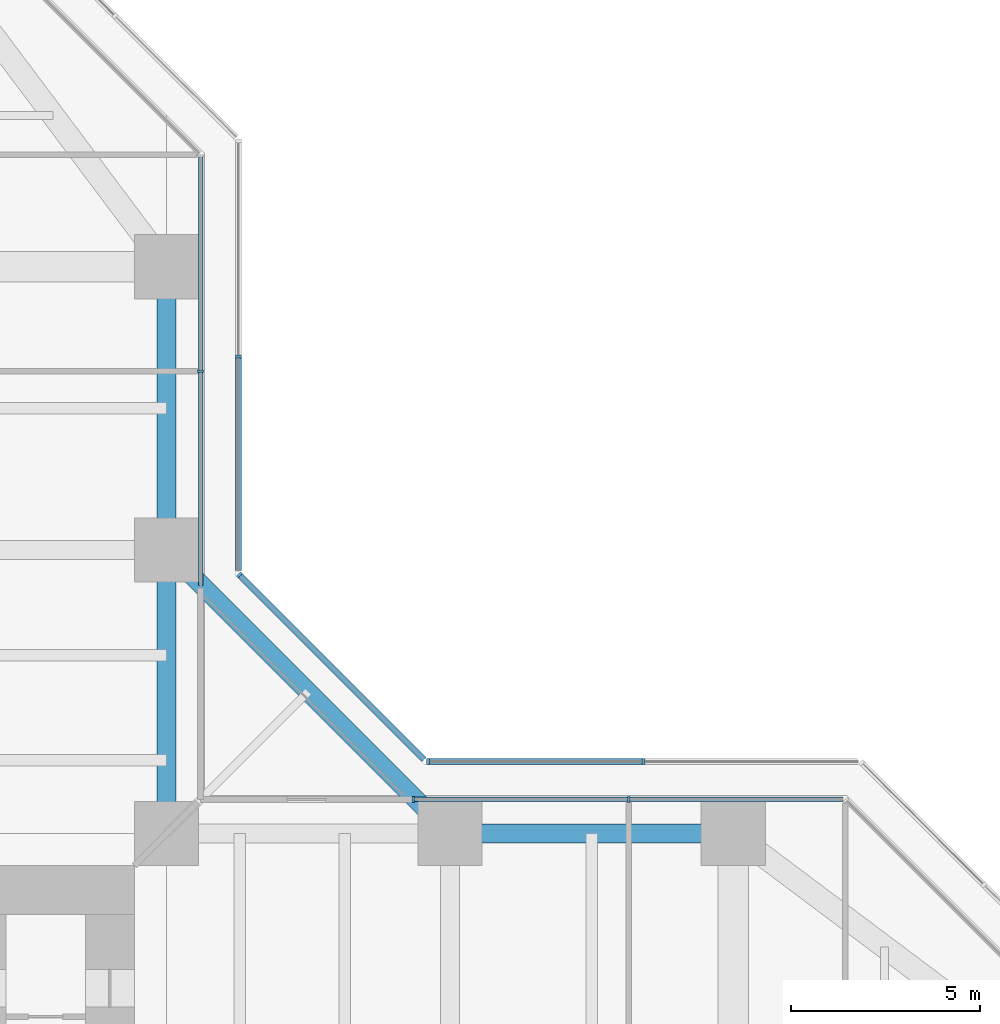
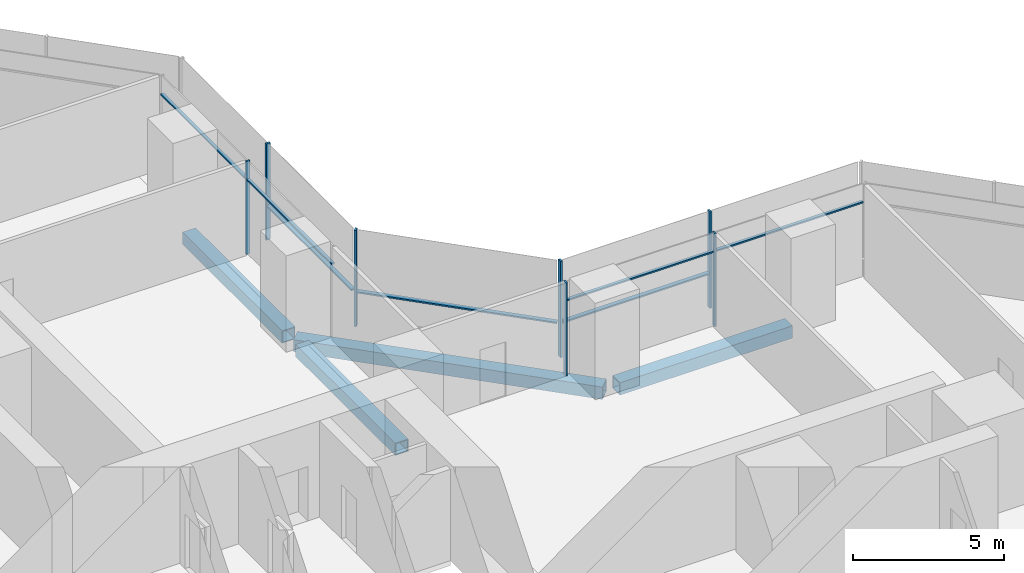
# One storey, part 11 of 22: 14 members, 4 beams, 5 elements without a shape of their own.
"""IFC4 building model written with IfcOpenShell, lengths in metres."""

from ifc_helpers import new_model, si_unit, direction, frame, origin, origin_2d, place, context, subcontext, project, spatial, rectangle, hollow_rectangle, extrude, material, material_profile, profile_set, type_object, element, aggregate, save


model = new_model("IFC4")

# Units and contexts
model_context = context("Model", 3, precision=1e-05, world=origin(), true_north=direction((0.0, 1.0)))
body_context = subcontext(model_context, "Body", "Model", "MODEL_VIEW")
ifc_project = project(units=[si_unit("LENGTHUNIT", "METRE"), si_unit("AREAUNIT", "SQUARE_METRE"), si_unit("VOLUMEUNIT", "CUBIC_METRE"), si_unit("PLANEANGLEUNIT", "RADIAN"), si_unit("MASSUNIT", "GRAM", prefix="KILO")], contexts=[model_context])

# Site, building, storey
site_placement = place(None, origin())
site = spatial("IfcSite", under=ifc_project, at=site_placement, CompositionType="ELEMENT")
building_placement = place(site_placement, origin())
building = spatial("IfcBuilding", under=site, at=building_placement, Name="Mizan Broadcast Tower", CompositionType="ELEMENT")
storey_placement = place(building_placement, frame((0.0, 0.0, 105.89990234375)))
storey = spatial("IfcBuildingStorey", under=building, at=storey_placement, Name="L23", CompositionType="ELEMENT", Elevation=105.89990234375)

# Beams
ifc_material_1 = material(Name="Steel S355", Category="steel")
ifc_material_profile_1 = material_profile(ifc_material_1, hollow_rectangle(XDim=0.5, YDim=0.5, WallThickness=0.030029296875, at=origin_2d()), Name="BOX 500x500x30")
ifc_profile_set_1 = profile_set([ifc_material_profile_1], Name="Steel S355")
beam_type = type_object("IfcBeamType", Name="EDGE BEAM BOX 500x500x30", PredefinedType="SPANDREL", material=ifc_profile_set_1)
for number, where, z_axis, x_axis, name in (
    (1, (19.949951171875, 12.0, -0.3798828125), (1.0, 0.0, 0.0), (0.0, 1.0, 0.0), "Edge beam BOX 500x500x30 L23 east arm"),
    (2, (12.0, 12.449951171875, -0.3798828125), (0.0, 1.0, 0.0), (-1.0, 0.0, 0.0), "Edge beam BOX 500x500x30 L23 north arm"),
    (3, (12.0, 19.949951171875, -0.3798828125), (0.0, 1.0, 0.0), (-1.0, 0.0, 0.0), "Edge beam BOX 500x500x30 L23 north arm"),
):
    element("IfcBeam", number, at=place(storey_placement, frame(where, z_axis=z_axis, x_axis=x_axis)), inside=storey, type_object=beam_type, Name=name, PredefinedType="SPANDREL", context=body_context, shape_type="SweptSolid", body=[
        extrude(hollow_rectangle(XDim=0.5, YDim=0.5, WallThickness=0.030029296875, at=origin_2d()), origin(), (0.0, 0.0, 1.0), 6.60009765625),
    ])
beam_placement = place(storey_placement, frame((19.5, 12.0, -0.3798828125), z_axis=(-0.707106781187, 0.707106781187, 0.0), x_axis=(-0.707106781187, -0.707106781187, 0.0)))
element("IfcBeam", 4, at=beam_placement, inside=storey, type_object=beam_type, Name="Winter garden edge beam L23 E", PredefinedType="SPANDREL", context=body_context, shape_type="SweptSolid", body=[
    extrude(hollow_rectangle(XDim=0.5, YDim=0.5, WallThickness=0.030029296875, at=origin_2d()), origin(), (0.0, 0.0, 1.0), 10.606689453125),
])

# Curtain wall, members
ifc_material_2 = material(Name="Aluminium framed glazing", Category="aluminium")
curtain_wall_type_1 = type_object("IfcCurtainWallType", Name="INNER SKIN LOW ZONE", PredefinedType="USERDEFINED", material=ifc_material_2)
curtain_wall_1_placement = place(storey_placement, origin())
curtain_wall_1 = element("IfcCurtainWall", 5, at=curtain_wall_1_placement, inside=storey, type_object=curtain_wall_type_1, Name="Inner skin low zone L23 E side", ObjectType="INNER SKIN LOW ZONE", PredefinedType="USERDEFINED")
ifc_material_3 = material(Name="Aluminium, pale anodised", Category="aluminium")
ifc_material_profile_2 = material_profile(ifc_material_3, rectangle(XDim=0.159912109375, YDim=0.06005859375, at=origin_2d()), Name="MULLION 160x60")
ifc_profile_set_2 = profile_set([ifc_material_profile_2], Name="Aluminium, pale anodised")
member_type_1 = type_object("IfcMemberType", Name="INNER SKIN MULLION 60x160", PredefinedType="MULLION", material=ifc_profile_set_2)
member_1_placement = place(storey_placement, frame((24.229248046875, 12.89990234375, 0.0), z_axis=(0.0, 0.0, 1.0), x_axis=(0.0, -1.0, 0.0)))
member_1 = element("IfcMember", 6, at=member_1_placement, type_object=member_type_1, Name="Inner skin low zone L23 E side mullion 2", PredefinedType="MULLION", context=body_context, shape_type="SweptSolid", body=[
    extrude(rectangle(XDim=0.159912109375, YDim=0.06005859375, at=origin_2d()), origin(), (0.0, 0.0, 1.0), 3.77001953125),
])
member_2_placement = place(storey_placement, frame((18.530029296875, 12.89990234375, 0.0), z_axis=(0.0, 0.0, 1.0), x_axis=(0.0, -1.0, 0.0)))
member_2 = element("IfcMember", 7, at=member_2_placement, type_object=member_type_1, Name="Inner skin low zone L23 E side mullion 3", PredefinedType="MULLION", context=body_context, shape_type="SweptSolid", body=[
    extrude(rectangle(XDim=0.159912109375, YDim=0.06005859375, at=origin_2d()), origin(), (0.0, 0.0, 1.0), 3.77001953125),
])

# Curtain wall, member
curtain_wall_2_placement = place(storey_placement, origin())
curtain_wall_2 = element("IfcCurtainWall", 8, at=curtain_wall_2_placement, inside=storey, type_object=curtain_wall_type_1, Name="Inner skin low zone L23 N side", ObjectType="INNER SKIN LOW ZONE", PredefinedType="USERDEFINED")
member_3_placement = place(storey_placement, frame((12.89990234375, 24.229248046875, 0.0), z_axis=(0.0, 0.0, 1.0), x_axis=(-1.0, 0.0, 0.0)))
member_3 = element("IfcMember", 9, at=member_3_placement, type_object=member_type_1, Name="Inner skin low zone L23 N side mullion 2", PredefinedType="MULLION", context=body_context, shape_type="SweptSolid", body=[
    extrude(rectangle(XDim=0.159912109375, YDim=0.06005859375, at=origin_2d()), origin(), (0.0, 0.0, 1.0), 3.77001953125),
])

# Member
ifc_material_4 = material(Name="Aluminium, pale anodised", Category="aluminium")
ifc_material_profile_3 = material_profile(ifc_material_4, rectangle(XDim=0.1201171875, YDim=0.06005859375, at=origin_2d()), Name="TRANSOM 120x60")
ifc_profile_set_3 = profile_set([ifc_material_profile_3], Name="Aluminium, pale anodised")
member_type_2 = type_object("IfcMemberType", Name="INNER SKIN TRANSOM 60x120", PredefinedType="USERDEFINED", material=ifc_profile_set_3)
member_4_placement = place(storey_placement, frame((29.898681640625, 12.89990234375, 3.030029296875), z_axis=(-1.0, 0.0, 0.0), x_axis=(0.0, -1.0, 0.0)))
member_4 = element("IfcMember", 10, at=member_4_placement, type_object=member_type_2, Name="Inner skin low zone L23 E side transom 1.1", ObjectType="TRANSOM", PredefinedType="USERDEFINED", context=body_context, shape_type="SweptSolid", body=[
    extrude(rectangle(XDim=0.1201171875, YDim=0.06005859375, at=origin_2d()), origin(), (0.0, 0.0, 1.0), 5.639404296875),
])

member_5_placement = place(storey_placement, frame((24.19921875, 12.89990234375, 3.030029296875), z_axis=(-1.0, 0.0, 0.0), x_axis=(0.0, -1.0, 0.0)))
member_5 = element("IfcMember", 11, at=member_5_placement, type_object=member_type_2, Name="Inner skin low zone L23 E side transom 2.1", ObjectType="TRANSOM", PredefinedType="USERDEFINED", context=body_context, shape_type="SweptSolid", body=[
    extrude(rectangle(XDim=0.1201171875, YDim=0.06005859375, at=origin_2d()), origin(), (0.0, 0.0, 1.0), 5.63916015625),
])

aggregate(curtain_wall_1, [member_1, member_2, member_4, member_5])

member_6_placement = place(storey_placement, frame((12.89990234375, 18.56005859375, 3.030029296875), z_axis=(0.0, 1.0, 0.0), x_axis=(-1.0, 0.0, 0.0)))
member_6 = element("IfcMember", 12, at=member_6_placement, type_object=member_type_2, Name="Inner skin low zone L23 N side transom 1.1", ObjectType="TRANSOM", PredefinedType="USERDEFINED", context=body_context, shape_type="SweptSolid", body=[
    extrude(rectangle(XDim=0.1201171875, YDim=0.06005859375, at=origin_2d()), origin(), (0.0, 0.0, 1.0), 5.63916015625),
])

member_7_placement = place(storey_placement, frame((12.89990234375, 24.25927734375, 3.030029296875), z_axis=(0.0, 1.0, 0.0), x_axis=(-1.0, 0.0, 0.0)))
member_7 = element("IfcMember", 13, at=member_7_placement, type_object=member_type_2, Name="Inner skin low zone L23 N side transom 2.1", ObjectType="TRANSOM", PredefinedType="USERDEFINED", context=body_context, shape_type="SweptSolid", body=[
    extrude(rectangle(XDim=0.1201171875, YDim=0.06005859375, at=origin_2d()), origin(), (0.0, 0.0, 1.0), 5.639404296875),
])

aggregate(curtain_wall_2, [member_3, member_6, member_7])

# Curtain wall, members
ifc_material_5 = material(Name="Aluminium framed glazing", Category="aluminium")
curtain_wall_type_2 = type_object("IfcCurtainWallType", Name="OUTER SKIN", PredefinedType="USERDEFINED", material=ifc_material_5)
curtain_wall_3_placement = place(storey_placement, origin())
curtain_wall_3 = element("IfcCurtainWall", 14, at=curtain_wall_3_placement, inside=storey, type_object=curtain_wall_type_2, Name="Outer skin L23 E side", ObjectType="OUTER SKIN", PredefinedType="USERDEFINED")
ifc_material_6 = material(Name="Aluminium, pale anodised", Category="aluminium")
ifc_material_profile_4 = material_profile(ifc_material_6, rectangle(XDim=0.159912109375, YDim=0.080078125, at=origin_2d()), Name="MULLION 160x80")
ifc_profile_set_4 = profile_set([ifc_material_profile_4], Name="Aluminium, pale anodised")
member_type_3 = type_object("IfcMemberType", Name="OUTER SKIN MULLION 80x160", PredefinedType="MULLION", material=ifc_profile_set_4)
member_8_placement = place(storey_placement, frame((24.622802734375, 13.89990234375, 0.0), z_axis=(0.0, 0.0, 1.0), x_axis=(0.0, -1.0, 0.0)))
member_8 = element("IfcMember", 15, at=member_8_placement, type_object=member_type_3, Name="Outer skin L23 E side mullion 2", PredefinedType="MULLION", context=body_context, shape_type="SweptSolid", body=[
    extrude(rectangle(XDim=0.159912109375, YDim=0.080078125, at=origin_2d()), origin(), (0.0, 0.0, 1.0), 3.900146484375),
])
member_9_placement = place(storey_placement, frame((18.912841796875, 13.89990234375, 0.0), z_axis=(0.0, 0.0, 1.0), x_axis=(0.0, -1.0, 0.0)))
member_9 = element("IfcMember", 16, at=member_9_placement, type_object=member_type_3, Name="Outer skin L23 E side mullion 3", PredefinedType="MULLION", context=body_context, shape_type="SweptSolid", body=[
    extrude(rectangle(XDim=0.159912109375, YDim=0.080078125, at=origin_2d()), origin(), (0.0, 0.0, 1.0), 3.900146484375),
])

# Curtain wall, member
curtain_wall_4_placement = place(storey_placement, origin())
curtain_wall_4 = element("IfcCurtainWall", 17, at=curtain_wall_4_placement, inside=storey, type_object=curtain_wall_type_2, Name="Outer skin L23 E chamfer", ObjectType="OUTER SKIN", PredefinedType="USERDEFINED")
member_10_placement = place(storey_placement, frame((13.92822265625, 18.844482421875, 0.0), z_axis=(0.0, 0.0, 1.0), x_axis=(-0.707106781187, -0.707106781187, 0.0)))
member_10 = element("IfcMember", 18, at=member_10_placement, type_object=member_type_3, Name="Outer skin L23 E chamfer mullion 2", PredefinedType="MULLION", context=body_context, shape_type="SweptSolid", body=[
    extrude(rectangle(XDim=0.159912109375, YDim=0.080078125, at=origin_2d()), origin(), (0.0, 0.0, 1.0), 3.900146484375),
])

curtain_wall_5_placement = place(storey_placement, origin())
curtain_wall_5 = element("IfcCurtainWall", 19, at=curtain_wall_5_placement, inside=storey, type_object=curtain_wall_type_2, Name="Outer skin L23 N side", ObjectType="OUTER SKIN", PredefinedType="USERDEFINED")
member_11_placement = place(storey_placement, frame((13.89990234375, 24.622802734375, 0.0), z_axis=(0.0, 0.0, 1.0), x_axis=(-1.0, 0.0, 0.0)))
member_11 = element("IfcMember", 20, at=member_11_placement, type_object=member_type_3, Name="Outer skin L23 N side mullion 2", PredefinedType="MULLION", context=body_context, shape_type="SweptSolid", body=[
    extrude(rectangle(XDim=0.159912109375, YDim=0.080078125, at=origin_2d()), origin(), (0.0, 0.0, 1.0), 3.900146484375),
])

# Member
ifc_material_7 = material(Name="Aluminium, pale anodised", Category="aluminium")
ifc_material_profile_5 = material_profile(ifc_material_7, rectangle(XDim=0.159912109375, YDim=0.06005859375, at=origin_2d()), Name="TRANSOM 160x60")
ifc_profile_set_5 = profile_set([ifc_material_profile_5], Name="Aluminium, pale anodised")
member_type_4 = type_object("IfcMemberType", Name="OUTER SKIN TRANSOM 60x160", PredefinedType="USERDEFINED", material=ifc_profile_set_5)
member_12_placement = place(storey_placement, frame((24.582763671875, 13.89990234375, 1.400146484375), z_axis=(-1.0, 0.0, 0.0), x_axis=(0.0, -1.0, 0.0)))
member_12 = element("IfcMember", 21, at=member_12_placement, type_object=member_type_4, Name="Outer skin L23 E side transom 2.1", ObjectType="TRANSOM", PredefinedType="USERDEFINED", context=body_context, shape_type="SweptSolid", body=[
    extrude(rectangle(XDim=0.159912109375, YDim=0.06005859375, at=origin_2d()), origin(), (0.0, 0.0, 1.0), 5.6298828125),
])

aggregate(curtain_wall_3, [member_8, member_9, member_12])

member_13_placement = place(storey_placement, frame((18.816162109375, 13.95654296875, 1.400146484375), z_axis=(-0.707106781187, 0.707106781187, 0.0), x_axis=(-0.707106781187, -0.707106781187, 0.0)))
member_13 = element("IfcMember", 22, at=member_13_placement, type_object=member_type_4, Name="Outer skin L23 E chamfer transom 1.1", ObjectType="TRANSOM", PredefinedType="USERDEFINED", context=body_context, shape_type="SweptSolid", body=[
    extrude(rectangle(XDim=0.159912109375, YDim=0.06005859375, at=origin_2d()), origin(), (0.0, 0.0, 1.0), 6.87255859375),
])

aggregate(curtain_wall_4, [member_10, member_13])

member_14_placement = place(storey_placement, frame((13.89990234375, 18.952880859375, 1.400146484375), z_axis=(0.0, 1.0, 0.0), x_axis=(-1.0, 0.0, 0.0)))
member_14 = element("IfcMember", 23, at=member_14_placement, type_object=member_type_4, Name="Outer skin L23 N side transom 1.1", ObjectType="TRANSOM", PredefinedType="USERDEFINED", context=body_context, shape_type="SweptSolid", body=[
    extrude(rectangle(XDim=0.159912109375, YDim=0.06005859375, at=origin_2d()), origin(), (0.0, 0.0, 1.0), 5.6298828125),
])

aggregate(curtain_wall_5, [member_11, member_14])

save(model, "model.ifc")
